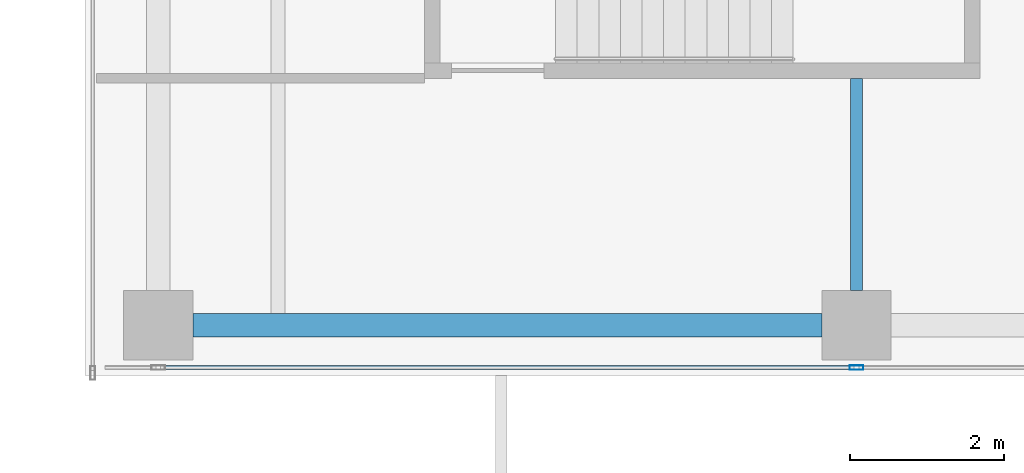
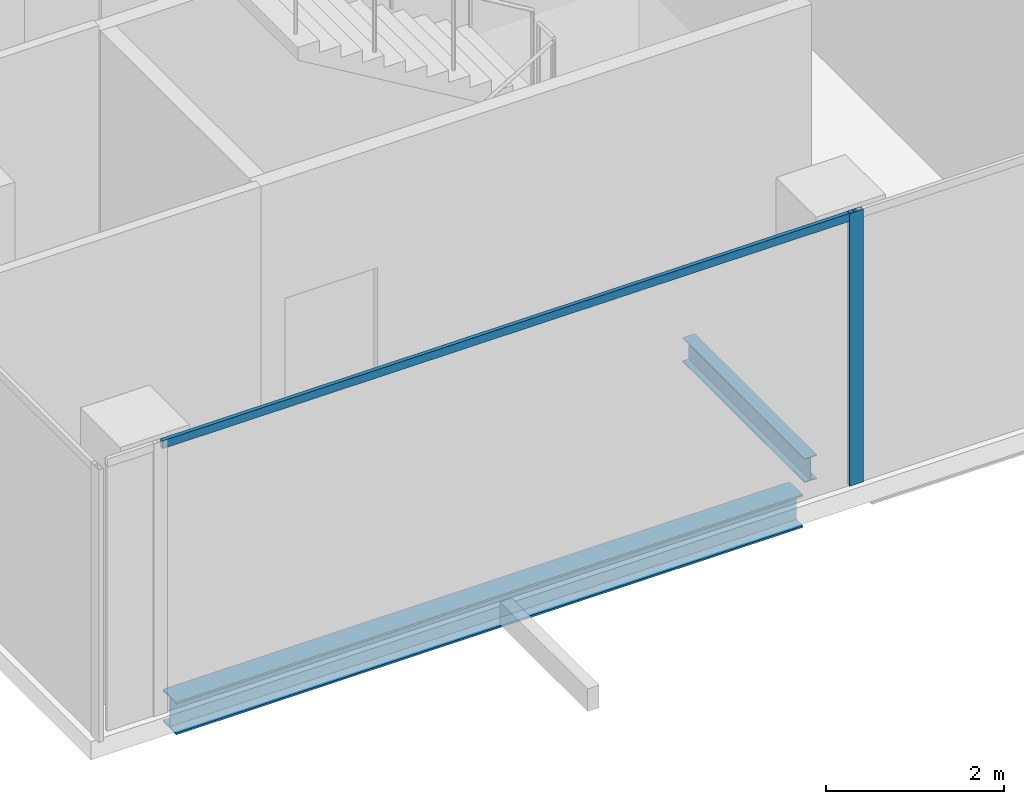
# One storey, part 3 of 34: 2 beams, 2 members, 1 element without a shape of its own.
"""IFC4 building model written with IfcOpenShell, lengths in metres."""

from ifc_helpers import new_model, si_unit, direction, frame, origin, origin_2d, place, context, subcontext, project, spatial, hollow_rectangle, i_section, extrude, source, transform, mapped, material, material_profile, profile_set, type_object, element, aggregate, save


model = new_model("IFC4")

# Units and contexts
model_context = context("Model", 3, precision=1e-05, world=origin(), true_north=direction((0.0, 1.0)))
body_context = subcontext(model_context, "Body", "Model", "MODEL_VIEW")
ifc_project = project(units=[si_unit("LENGTHUNIT", "METRE"), si_unit("AREAUNIT", "SQUARE_METRE"), si_unit("VOLUMEUNIT", "CUBIC_METRE"), si_unit("PLANEANGLEUNIT", "RADIAN"), si_unit("MASSUNIT", "GRAM", prefix="KILO")], contexts=[model_context])

# Site, building, storey
site_placement = place(None, origin())
site = spatial("IfcSite", under=ifc_project, at=site_placement, CompositionType="ELEMENT")
building_placement = place(site_placement, origin())
building = spatial("IfcBuilding", under=site, at=building_placement, Name="Khomas Fold Tower", CompositionType="ELEMENT")
storey_placement = place(building_placement, frame((0.0, 0.0, 242.199951171875)))
storey = spatial("IfcBuildingStorey", under=building, at=storey_placement, Name="L54", CompositionType="ELEMENT", Elevation=242.199951171875)

# Beams
ifc_material_1 = material(Name="Steel S355", Category="steel")
ifc_material_profile_1 = material_profile(ifc_material_1, i_section(OverallWidth=0.159912109375, OverallDepth=0.330078125, WebThickness=0.007568359375, FlangeThickness=0.011474609375, at=origin_2d()), Name="IPE 330")
ifc_profile_set_1 = profile_set([ifc_material_profile_1], Name="Steel S355")
beam_type_1 = type_object("IfcBeamType", Name="IPE 330 beam JB1", PredefinedType="BEAM", material=ifc_profile_set_1)
shared_shape_1 = source(origin(), body_context, "Body", "SweptSolid", [
    extrude(i_section(OverallWidth=0.159912109375, OverallDepth=0.330078125, WebThickness=0.007568359375, FlangeThickness=0.011474609375, at=origin_2d()), origin(), (0.0, 0.0, 1.0), 2.75),
])
beam_1_placement = place(storey_placement, frame((19.5, 5.60009765625, -0.4150390625), z_axis=(0.0, 1.0, 0.0), x_axis=(-1.0, 0.0, 0.0)))
element("IfcBeam", 1, at=beam_1_placement, inside=storey, type_object=beam_type_1, Name="JB1", PredefinedType="BEAM", context=body_context, shape_type="MappedRepresentation", body=[
    mapped(shared_shape_1, transform((0.0, 0.0, 0.0))),
])
ifc_material_2 = material(Name="Steel S355", Category="steel")
ifc_material_profile_2 = material_profile(ifc_material_2, i_section(OverallWidth=0.300048828125, OverallDepth=0.449951171875, WebThickness=0.013916015625, FlangeThickness=0.02587890625, at=origin_2d()), Name="HE 450 B")
ifc_profile_set_2 = profile_set([ifc_material_profile_2], Name="Steel S355")
beam_type_2 = type_object("IfcBeamType", Name="HE 450 B spandrel SB4", PredefinedType="SPANDREL", material=ifc_profile_set_2)
shared_shape_2 = source(origin(), body_context, "Body", "SweptSolid", [
    extrude(i_section(OverallWidth=0.300048828125, OverallDepth=0.449951171875, WebThickness=0.013916015625, FlangeThickness=0.02587890625, at=origin_2d()), origin(), (0.0, 0.0, 1.0), 8.150146484375),
])
beam_2_placement = place(storey_placement, frame((10.89990234375, 5.14990234375, -0.474853515625), z_axis=(1.0, 0.0, 0.0), x_axis=(0.0, 1.0, 0.0)))
element("IfcBeam", 2, at=beam_2_placement, inside=storey, type_object=beam_type_2, Name="SB4", PredefinedType="SPANDREL", context=body_context, shape_type="MappedRepresentation", body=[
    mapped(shared_shape_2, transform((0.0, 0.0, 0.0))),
])

# Curtain wall, members
ifc_material_3 = material(Name="Aluminium framed double glazing", Category="aluminium")
curtain_wall_type = type_object("IfcCurtainWallType", Name="SK-Unitised clear-glass wall, office floors CW2", PredefinedType="NOTDEFINED", material=ifc_material_3)
curtain_wall_placement = place(storey_placement, origin())
curtain_wall = element("IfcCurtainWall", 3, at=curtain_wall_placement, inside=storey, type_object=curtain_wall_type, Name="CW2 run L54 00-0", PredefinedType="NOTDEFINED")
ifc_material_4 = material(Name="Aluminium", Category="aluminium")
ifc_material_profile_3 = material_profile(ifc_material_4, hollow_rectangle(XDim=0.06005859375, YDim=0.179931640625, WallThickness=0.00390625, at=origin_2d()), Name="SK-Unitised clear-glass wall, office floors mullion CW2-M")
ifc_profile_set_3 = profile_set([ifc_material_profile_3], Name="Aluminium")
member_type_1 = type_object("IfcMemberType", Name="SK-Unitised clear-glass wall, office floors mullion CW2-M", PredefinedType="MULLION", material=ifc_profile_set_3)
shared_shape_3 = source(origin(), body_context, "Body", "SweptSolid", [
    extrude(hollow_rectangle(XDim=0.06005859375, YDim=0.179931640625, WallThickness=0.00390625, at=origin_2d()), origin(), (0.0, 0.0, 1.0), 3.75),
])
member_1_placement = place(storey_placement, frame((19.5, 4.60009765625, 0.0), z_axis=(0.0, 0.0, 1.0), x_axis=(0.0, 1.0, 0.0)))
member_1 = element("IfcMember", 4, at=member_1_placement, type_object=member_type_1, Name="CW2 mullion 3", PredefinedType="MULLION", context=body_context, shape_type="MappedRepresentation", body=[
    mapped(shared_shape_3, transform((0.0, 0.0, 0.0))),
])
ifc_material_5 = material(Name="Aluminium", Category="aluminium")
ifc_material_profile_4 = material_profile(ifc_material_5, hollow_rectangle(XDim=0.050048828125, YDim=0.110107421875, WallThickness=0.00390625, at=origin_2d()), Name="SK-Unitised clear-glass wall, office floors transom CW2-T")
ifc_profile_set_4 = profile_set([ifc_material_profile_4], Name="Aluminium")
member_type_2 = type_object("IfcMemberType", Name="SK-Unitised clear-glass wall, office floors transom CW2-T", PredefinedType="USERDEFINED", material=ifc_profile_set_4)
shared_shape_4 = source(origin(), body_context, "Body", "SweptSolid", [
    extrude(hollow_rectangle(XDim=0.050048828125, YDim=0.110107421875, WallThickness=0.00390625, at=origin_2d()), origin(), (0.0, 0.0, 1.0), 8.989990234375),
])
member_2_placement = place(storey_placement, frame((10.47998046875, 4.60009765625, 3.695068359375), z_axis=(1.0, 0.0, 0.0), x_axis=(0.0, 1.0, 0.0)))
member_2 = element("IfcMember", 5, at=member_2_placement, type_object=member_type_2, Name="CW2 transom 2", ObjectType="TRANSOM", PredefinedType="USERDEFINED", context=body_context, shape_type="MappedRepresentation", body=[
    mapped(shared_shape_4, transform((0.0, 0.0, 0.0))),
])
aggregate(curtain_wall, [member_1, member_2])

save(model, "model.ifc")
